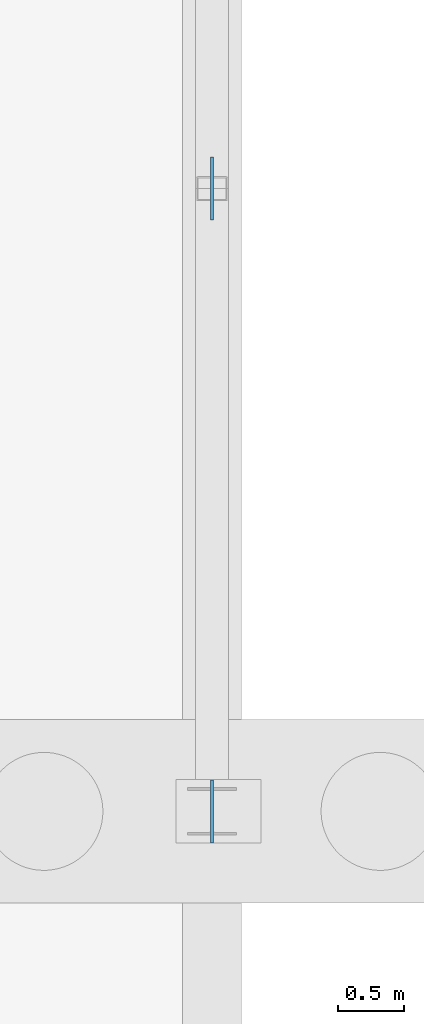
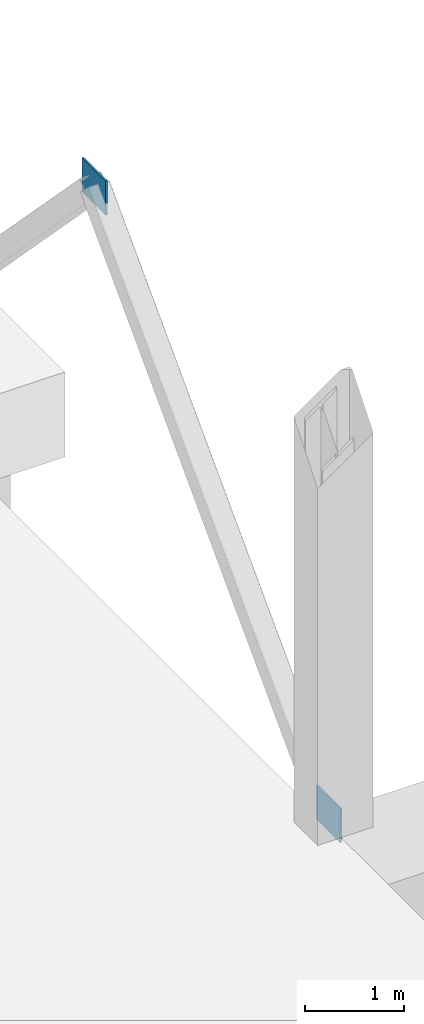
# One storey, part 46 of 83: 2 plates.
"""IFC4 building model written with IfcOpenShell, lengths in metres."""

from ifc_helpers import new_model, si_unit, direction, frame, origin, origin_2d, place, context, subcontext, project, spatial, rectangle, extrude, material, layer, layer_set, type_object, element, save


model = new_model("IFC4")

# Units and contexts
model_context = context("Model", 3, precision=1e-05, world=origin(), true_north=direction((0.0, 1.0)))
body_context = subcontext(model_context, "Body", "Model", "MODEL_VIEW")
ifc_project = project(units=[si_unit("LENGTHUNIT", "METRE"), si_unit("AREAUNIT", "SQUARE_METRE"), si_unit("VOLUMEUNIT", "CUBIC_METRE"), si_unit("PLANEANGLEUNIT", "RADIAN"), si_unit("MASSUNIT", "GRAM", prefix="KILO")], contexts=[model_context])

# Site, building, storey
site_placement = place(None, origin())
site = spatial("IfcSite", under=ifc_project, at=site_placement, CompositionType="ELEMENT")
building_placement = place(site_placement, origin())
building = spatial("IfcBuilding", under=site, at=building_placement, Name="Caurita Quay Ferry Terminal", CompositionType="ELEMENT")
storey_placement = place(building_placement, origin())
storey = spatial("IfcBuildingStorey", under=building, at=storey_placement, Name="L00", CompositionType="ELEMENT", Elevation=0.0)

# Plates
ifc_material = material(Name="Structural plate steel ASTM A572 Gr. 50", Category="steel")
ifc_layer_1 = layer(ifc_material, 0.01806640625, Name="Structural steel connection plate 18 mm")
ifc_layer_set_1 = layer_set([ifc_layer_1], Name="Structural plate steel ASTM A572 Gr. 50")
plate_type_1 = type_object("IfcPlateType", Name="PLT-STL-18", PredefinedType="USERDEFINED", material=ifc_layer_set_1)
plate_1_placement = place(storey_placement, frame((174.0, 53.199951171875, -0.06005859375), z_axis=(0.0, 0.0, 1.0), x_axis=(0.0, 1.0, 0.0)))
element("IfcPlate", 1, at=plate_1_placement, inside=storey, type_object=plate_type_1, Name="L00 Seismic Brace Gusset 06-BSL", ObjectType="GUSSET PLATE", PredefinedType="USERDEFINED", context=body_context, shape_type="SweptSolid", body=[
    extrude(rectangle(XDim=0.47998046875, YDim=0.02490234375, at=origin_2d()), origin(), (0.0, 0.0, 1.0), 0.419921875),
])
ifc_layer_2 = layer(ifc_material, 0.02490234375, Name="Structural steel connection plate 25 mm")
ifc_layer_set_2 = layer_set([ifc_layer_2], Name="Structural plate steel ASTM A572 Gr. 50")
plate_type_2 = type_object("IfcPlateType", Name="PLT-STL-25", PredefinedType="USERDEFINED", material=ifc_layer_set_2)
plate_2_placement = place(storey_placement, frame((174.0, 57.949951171875, 4.820068359375), z_axis=(0.0, 0.0, 1.0), x_axis=(0.0, 1.0, 0.0)))
element("IfcPlate", 2, at=plate_2_placement, inside=storey, type_object=plate_type_2, Name="L00 Seismic Brace Gusset 06-APX", ObjectType="GUSSET PLATE", PredefinedType="USERDEFINED", context=body_context, shape_type="SweptSolid", body=[
    extrude(rectangle(XDim=0.47998046875, YDim=0.02490234375, at=origin_2d()), origin(), (0.0, 0.0, 1.0), 0.419921875),
])

save(model, "model.ifc")
